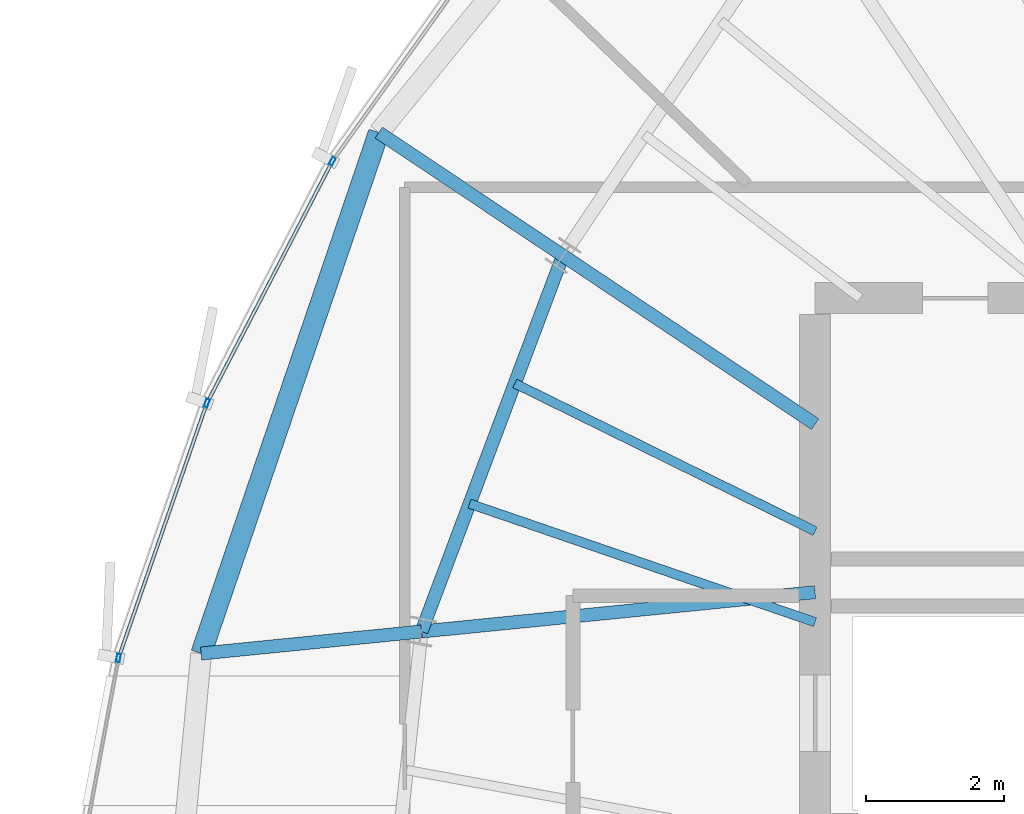
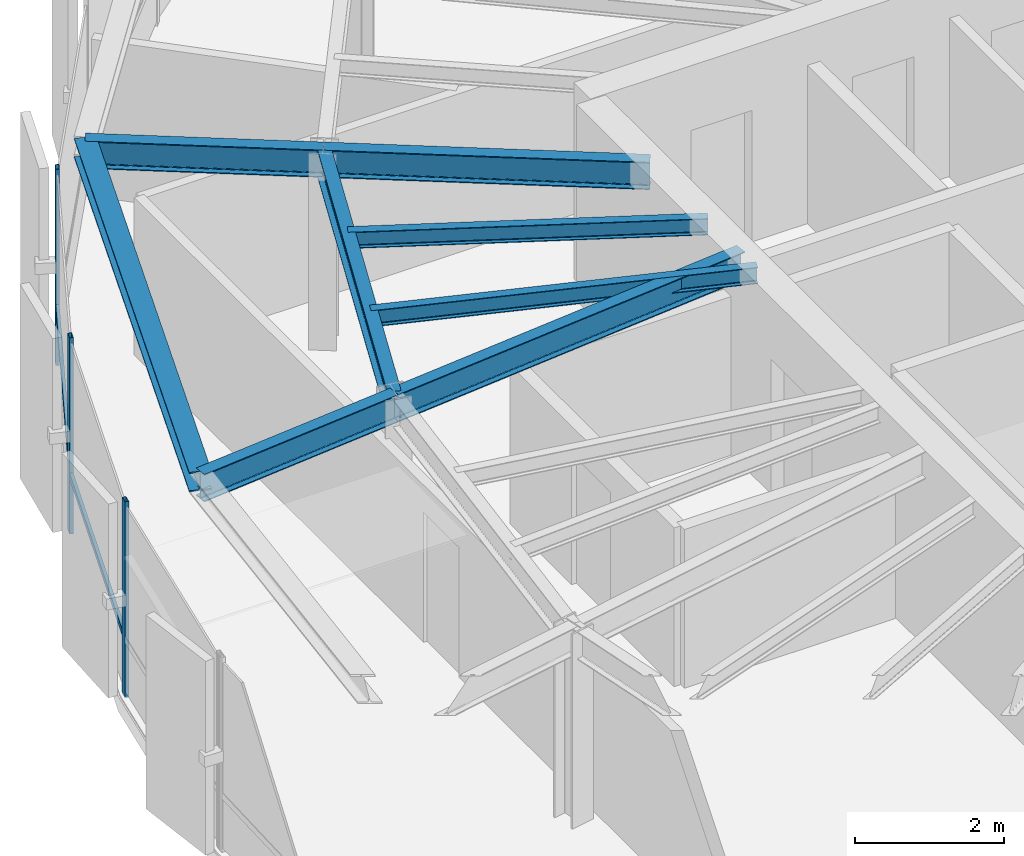
# One storey, part 11 of 31: 8 beams, 5 members, 1 element without a shape of its own.
"""IFC4 building model written with IfcOpenShell, lengths in metres."""

from ifc_helpers import new_model, si_unit, direction, frame, origin, origin_2d, place, context, subcontext, project, spatial, hollow_rectangle, i_section, extrude, source, transform, mapped, material, layer, layer_set, material_profile, profile_set, type_object, element, aggregate, save


model = new_model("IFC4")

# Units and contexts
model_context = context("Model", 3, precision=1e-05, world=origin(), true_north=direction((0.0, 1.0)))
body_context = subcontext(model_context, "Body", "Model", "MODEL_VIEW")
ifc_project = project(units=[si_unit("LENGTHUNIT", "METRE"), si_unit("AREAUNIT", "SQUARE_METRE"), si_unit("VOLUMEUNIT", "CUBIC_METRE"), si_unit("PLANEANGLEUNIT", "RADIAN"), si_unit("MASSUNIT", "GRAM", prefix="KILO"), si_unit("THERMODYNAMICTEMPERATUREUNIT", "KELVIN")], contexts=[model_context])

# Site, building, storey
site_placement = place(None, origin())
site = spatial("IfcSite", under=ifc_project, at=site_placement, CompositionType="ELEMENT")
building_placement = place(site_placement, origin())
building = spatial("IfcBuilding", under=site, at=building_placement, Name="Kethvar Cultural Tower", CompositionType="ELEMENT")
storey_placement = place(building_placement, frame((0.0, 0.0, 269.800048828125)))
storey = spatial("IfcBuildingStorey", under=building, at=storey_placement, Name="L71", CompositionType="ELEMENT", Elevation=269.800048828125)

# Beams
ifc_material_1 = material(Name="Steel S355J2", Category="steel")
ifc_material_profile_1 = material_profile(ifc_material_1, i_section(OverallWidth=0.18994140625, OverallDepth=0.449951171875, WebThickness=0.009521484375, FlangeThickness=0.0146484375, FilletRadius=0.02099609375, at=origin_2d()), Name="Steel S355J2 — IPE450")
ifc_profile_set_1 = profile_set([ifc_material_profile_1], Name="Steel S355J2 — IPE450")
beam_type_1 = type_object("IfcBeamType", Name="BM-IPE450", PredefinedType="BEAM", material=ifc_profile_set_1)
shared_shape_1 = source(origin(), body_context, "Body", "SweptSolid", [
    extrude(i_section(OverallWidth=0.18994140625, OverallDepth=0.449951171875, WebThickness=0.009521484375, FlangeThickness=0.0146484375, FilletRadius=0.02099609375, at=origin_2d()), origin(), (0.0, 0.0, 1.0), 3.2001953125),
])
beam_1_placement = place(storey_placement, frame((32.3125, 30.681884765625, 2.98291015625), z_axis=(-0.995047004836, -0.099405523829, 0.0), x_axis=(0.099405523829, -0.995047004836, 0.0)))
element("IfcBeam", 1, at=beam_1_placement, inside=storey, type_object=beam_type_1, Name="L71 Perimeter Cantilever Beam RC-08", PredefinedType="BEAM", context=body_context, shape_type="MappedRepresentation", body=[
    mapped(shared_shape_1, transform((0.0, 0.0, 0.0), scale=1.0)),
])
shared_shape_2 = source(origin(), body_context, "Body", "SweptSolid", [
    extrude(i_section(OverallWidth=0.18994140625, OverallDepth=0.449951171875, WebThickness=0.009521484375, FlangeThickness=0.0146484375, FilletRadius=0.02099609375, at=origin_2d()), origin(), (0.0, 0.0, 1.0), 4.3828125),
])
beam_2_placement = place(storey_placement, frame((38.0, 33.679931640625, 2.98291015625), z_axis=(-0.831449909861, 0.555599718676, 0.0), x_axis=(-0.555599718676, -0.831449909861, 0.0)))
element("IfcBeam", 2, at=beam_2_placement, inside=storey, type_object=beam_type_1, Name="L71 Primary Radial Beam RB-07", PredefinedType="BEAM", context=body_context, shape_type="MappedRepresentation", body=[
    mapped(shared_shape_2, transform((0.0, 0.0, 0.0), scale=1.0)),
])
shared_shape_3 = source(origin(), body_context, "Body", "SweptSolid", [
    extrude(i_section(OverallWidth=0.18994140625, OverallDepth=0.449951171875, WebThickness=0.009521484375, FlangeThickness=0.0146484375, FilletRadius=0.02099609375, at=origin_2d()), origin(), (0.0, 0.0, 1.0), 3.19970703125),
])
beam_3_placement = place(storey_placement, frame((34.35595703125, 36.114990234375, 2.98291015625), z_axis=(-0.831498187863, 0.55552746429, 0.0), x_axis=(-0.55552746429, -0.831498187863, 0.0)))
element("IfcBeam", 3, at=beam_3_placement, inside=storey, type_object=beam_type_1, Name="L71 Perimeter Cantilever Beam RC-07", PredefinedType="BEAM", context=body_context, shape_type="MappedRepresentation", body=[
    mapped(shared_shape_3, transform((0.0, 0.0, 0.0), scale=1.0)),
])
shared_shape_4 = source(origin(), body_context, "Body", "SweptSolid", [
    extrude(i_section(OverallWidth=0.18994140625, OverallDepth=0.449951171875, WebThickness=0.009521484375, FlangeThickness=0.0146484375, FilletRadius=0.02099609375, at=origin_2d()), origin(), (0.0, 0.0, 1.0), 5.7158203125),
])
beam_4_placement = place(storey_placement, frame((38.0, 31.25, 2.98291015625), z_axis=(-0.995048179628, -0.099393763478, 0.0), x_axis=(0.099393763478, -0.995048179628, 0.0)))
element("IfcBeam", 4, at=beam_4_placement, inside=storey, type_object=beam_type_1, Name="L71 Primary Radial Beam RB-08", PredefinedType="BEAM", context=body_context, shape_type="MappedRepresentation", body=[
    mapped(shared_shape_4, transform((0.0, 0.0, 0.0), scale=1.0)),
])
shared_shape_5 = source(origin(), body_context, "Body", "SweptSolid", [
    extrude(i_section(OverallWidth=0.18994140625, OverallDepth=0.449951171875, WebThickness=0.009521484375, FlangeThickness=0.0146484375, FilletRadius=0.02099609375, at=origin_2d()), origin(), (0.0, 0.0, 1.0), 5.8046875),
])
beam_5_placement = place(storey_placement, frame((34.35595703125, 36.114990234375, 2.98291015625), z_axis=(-0.352035902861, -0.935986497283, 0.0), x_axis=(0.935986497283, -0.352035902861, 0.0)))
element("IfcBeam", 5, at=beam_5_placement, inside=storey, type_object=beam_type_1, Name="L71 Column Ring Tie Beam CR-07", PredefinedType="BEAM", context=body_context, shape_type="MappedRepresentation", body=[
    mapped(shared_shape_5, transform((0.0, 0.0, 0.0), scale=1.0)),
])
ifc_material_profile_2 = material_profile(ifc_material_1, i_section(OverallWidth=0.300048828125, OverallDepth=0.320068359375, WebThickness=0.011474609375, FlangeThickness=0.0205078125, FilletRadius=0.027099609375, at=origin_2d()), Name="Steel S355J2 — HEB320")
ifc_profile_set_2 = profile_set([ifc_material_profile_2], Name="Steel S355J2 — HEB320")
beam_type_2 = type_object("IfcBeamType", Name="BM-SP320", PredefinedType="SPANDREL", material=ifc_profile_set_2)
shared_shape_6 = source(origin(), body_context, "Body", "SweptSolid", [
    extrude(i_section(OverallWidth=0.300048828125, OverallDepth=0.320068359375, WebThickness=0.011474609375, FlangeThickness=0.0205078125, FilletRadius=0.027099609375, at=origin_2d()), origin(), (0.0, 0.0, 1.0), 7.954345703125),
])
beam_6_placement = place(storey_placement, frame((31.6953125, 37.892578125, 3.0478515625), z_axis=(-0.322730170507, -0.946491012659, 0.0), x_axis=(0.946491012659, -0.322730170507, 0.0)))
element("IfcBeam", 6, at=beam_6_placement, inside=storey, type_object=beam_type_2, Name="L71 Perimeter Spandrel Beam SP-07", PredefinedType="SPANDREL", context=body_context, shape_type="MappedRepresentation", body=[
    mapped(shared_shape_6, transform((0.0, 0.0, 0.0), scale=1.0)),
])
ifc_material_profile_3 = material_profile(ifc_material_1, i_section(OverallWidth=0.135009765625, OverallDepth=0.27001953125, WebThickness=0.006591796875, FlangeThickness=0.01025390625, FilletRadius=0.014892578125, at=origin_2d()), Name="Steel S355J2 — IPE270")
ifc_profile_set_3 = profile_set([ifc_material_profile_3], Name="Steel S355J2 — IPE270")
beam_type_3 = type_object("IfcBeamType", Name="BM-J270", PredefinedType="JOIST", material=ifc_profile_set_3)
shared_shape_7 = source(origin(), body_context, "Body", "SweptSolid", [
    extrude(i_section(OverallWidth=0.135009765625, OverallDepth=0.27001953125, WebThickness=0.006591796875, FlangeThickness=0.01025390625, FilletRadius=0.014892578125, at=origin_2d()), origin(), (0.0, 0.0, 1.0), 4.8359375),
])
beam_7_placement = place(storey_placement, frame((38.0, 32.1318359375, 3.072998046875), z_axis=(-0.897196527088, 0.441631511308, 0.0), x_axis=(-0.441631511308, -0.897196527088, 0.0)))
element("IfcBeam", 7, at=beam_7_placement, inside=storey, type_object=beam_type_3, Name="L71 Composite Floor Joist J-07A", PredefinedType="JOIST", context=body_context, shape_type="MappedRepresentation", body=[
    mapped(shared_shape_7, transform((0.0, 0.0, 0.0), scale=1.0)),
])
shared_shape_8 = source(origin(), body_context, "Body", "SweptSolid", [
    extrude(i_section(OverallWidth=0.135009765625, OverallDepth=0.27001953125, WebThickness=0.006591796875, FlangeThickness=0.01025390625, FilletRadius=0.014892578125, at=origin_2d()), origin(), (0.0, 0.0, 1.0), 5.2783203125),
])
beam_8_placement = place(storey_placement, frame((38.0, 30.817138671875, 3.072998046875), z_axis=(-0.945942702368, 0.324333784607, 0.0), x_axis=(-0.324333784607, -0.945942702368, 0.0)))
element("IfcBeam", 8, at=beam_8_placement, inside=storey, type_object=beam_type_3, Name="L71 Composite Floor Joist J-07B", PredefinedType="JOIST", context=body_context, shape_type="MappedRepresentation", body=[
    mapped(shared_shape_8, transform((0.0, 0.0, 0.0), scale=1.0)),
])

# Curtain wall, members
ifc_material_2 = material(Name="Aluminium 6063-T6", Category="aluminium")
ifc_layer = layer(ifc_material_2, 0.179931640625, Name="Aluminium 6063-T6", Category="aluminium")
ifc_layer_set = layer_set([ifc_layer], Name="Aluminium 6063-T6 (180 mm)")
curtain_wall_type = type_object("IfcCurtainWallType", Name="CW-SYS-05-Z56", PredefinedType="NOTDEFINED", material=ifc_layer_set)
curtain_wall_placement = place(storey_placement, origin())
curtain_wall = element("IfcCurtainWall", 9, at=curtain_wall_placement, inside=storey, type_object=curtain_wall_type, Name="L71 Curtain Wall Run 02", PredefinedType="NOTDEFINED")
ifc_material_profile_4 = material_profile(ifc_material_2, hollow_rectangle(XDim=0.054931640625, YDim=0.1201171875, WallThickness=0.00390625, at=origin_2d()), Name="Aluminium 6063-T6 — RHS120x55x4")
ifc_profile_set_4 = profile_set([ifc_material_profile_4], Name="Aluminium 6063-T6 — RHS120x55x4")
member_type_1 = type_object("IfcMemberType", Name="CW-SYS-05-Z56-MUL", PredefinedType="MULLION", material=ifc_profile_set_4)
shared_shape_9 = source(origin(), body_context, "Body", "SweptSolid", [
    extrude(hollow_rectangle(XDim=0.054931640625, YDim=0.1201171875, WallThickness=0.00390625, at=origin_2d()), origin(), (0.0, 0.0, 1.0), 3.2099609375),
])
member_1_placement = place(storey_placement, frame((31.023681640625, 37.47607421875, 0.0), z_axis=(0.0, 0.0, 1.0), x_axis=(0.887831448598, -0.4601687939, 0.0)))
member_1 = element("IfcMember", 10, at=member_1_placement, type_object=member_type_1, Name="CW-L71-R02 Mullion 4", PredefinedType="MULLION", context=body_context, shape_type="MappedRepresentation", body=[
    mapped(shared_shape_9, transform((0.0, 0.0, 0.0), scale=1.0)),
])
member_2_placement = place(storey_placement, frame((29.211181640625, 33.981201171875, 0.0), z_axis=(0.0, 0.0, 1.0), x_axis=(0.944886073416, -0.327399310115, 0.0)))
member_2 = element("IfcMember", 11, at=member_2_placement, type_object=member_type_1, Name="CW-L71-R02 Mullion 5", PredefinedType="MULLION", context=body_context, shape_type="MappedRepresentation", body=[
    mapped(shared_shape_9, transform((0.0, 0.0, 0.0), scale=1.0)),
])
member_3_placement = place(storey_placement, frame((27.933837890625, 30.29833984375, 0.0), z_axis=(0.0, 0.0, 1.0), x_axis=(0.982996295681, -0.183625386799, 0.0)))
member_3 = element("IfcMember", 12, at=member_3_placement, type_object=member_type_1, Name="CW-L71-R02 Mullion 6", PredefinedType="MULLION", context=body_context, shape_type="MappedRepresentation", body=[
    mapped(shared_shape_9, transform((0.0, 0.0, 0.0), scale=1.0)),
])
ifc_material_profile_5 = material_profile(ifc_material_2, hollow_rectangle(XDim=0.050048828125, YDim=0.10009765625, WallThickness=0.00390625, at=origin_2d()), Name="Aluminium 6063-T6 — RHS100x50x4")
ifc_profile_set_5 = profile_set([ifc_material_profile_5], Name="Aluminium 6063-T6 — RHS100x50x4")
member_type_2 = type_object("IfcMemberType", Name="CW-SYS-05-Z56-TRN", PredefinedType="USERDEFINED", material=ifc_profile_set_5)
shared_shape_10 = source(origin(), body_context, "Body", "SweptSolid", [
    extrude(hollow_rectangle(XDim=0.050048828125, YDim=0.10009765625, WallThickness=0.00390625, at=origin_2d()), origin(), (0.0, 0.0, 1.0), 3.872314453125),
])
member_4_placement = place(storey_placement, frame((31.005615234375, 37.44091796875, 0.949951171875), z_axis=(-0.460179137355, -0.887826087442, 0.0), x_axis=(0.887826087442, -0.460179137355, 0.0)))
member_4 = element("IfcMember", 13, at=member_4_placement, type_object=member_type_2, Name="CW-L71-R02 Transom 4", ObjectType="TRANSOM", PredefinedType="USERDEFINED", context=body_context, shape_type="MappedRepresentation", body=[
    mapped(shared_shape_10, transform((0.0, 0.0, 0.0), scale=1.0)),
])
shared_shape_11 = source(origin(), body_context, "Body", "SweptSolid", [
    extrude(hollow_rectangle(XDim=0.050048828125, YDim=0.10009765625, WallThickness=0.00390625, at=origin_2d()), origin(), (0.0, 0.0, 1.0), 3.83349609375),
])
member_5_placement = place(storey_placement, frame((29.197998046875, 33.943603515625, 0.949951171875), z_axis=(-0.327344600975, -0.944905028144, 0.0), x_axis=(0.944905028144, -0.327344600975, 0.0)))
member_5 = element("IfcMember", 14, at=member_5_placement, type_object=member_type_2, Name="CW-L71-R02 Transom 5", ObjectType="TRANSOM", PredefinedType="USERDEFINED", context=body_context, shape_type="MappedRepresentation", body=[
    mapped(shared_shape_11, transform((0.0, 0.0, 0.0), scale=1.0)),
])
aggregate(curtain_wall, [member_1, member_2, member_3, member_4, member_5])

save(model, "model.ifc")
